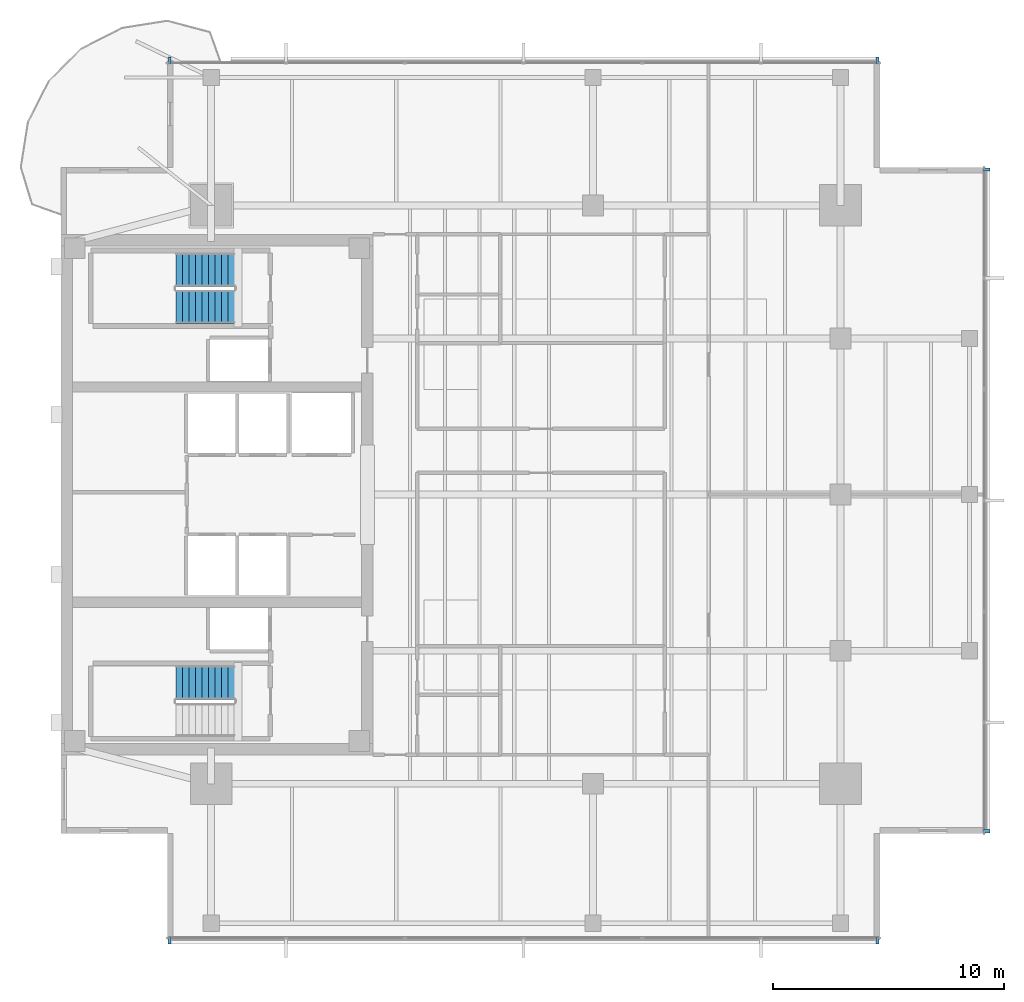
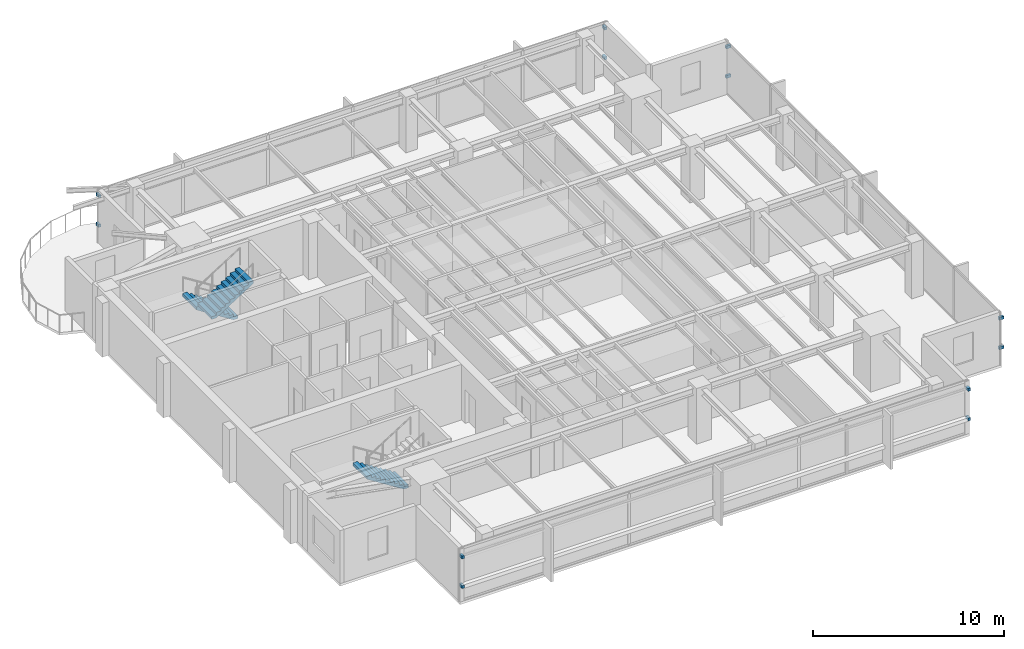
# One storey, part 10 of 14: 12 discrete accessories, 3 stair flights, 2 elements without a shape of their own.
"""IFC4 building model written with IfcOpenShell, lengths in metres."""

from ifc_helpers import new_model, si_unit, direction, frame, origin, origin_2d, place, context, subcontext, project, spatial, polyline, rectangle, outline, extrude, material, type_object, element, aggregate, save


model = new_model("IFC4")

# Units and contexts
model_context = context("Model", 3, precision=1e-05, world=origin(), true_north=direction((0.0, 1.0)))
body_context = subcontext(model_context, "Body", "Model", "MODEL_VIEW")
ifc_project = project(units=[si_unit("LENGTHUNIT", "METRE"), si_unit("AREAUNIT", "SQUARE_METRE"), si_unit("VOLUMEUNIT", "CUBIC_METRE"), si_unit("PLANEANGLEUNIT", "RADIAN"), si_unit("MASSUNIT", "GRAM", prefix="KILO")], contexts=[model_context])

# Site, building, storey
site_placement = place(None, origin())
site = spatial("IfcSite", under=ifc_project, at=site_placement, CompositionType="ELEMENT")
building_placement = place(site_placement, origin())
building = spatial("IfcBuilding", under=site, at=building_placement, Name="Kinhvarn Gate Tower", CompositionType="ELEMENT")
storey_placement = place(building_placement, frame((0.0, 0.0, 263.449951171875)))
storey = spatial("IfcBuildingStorey", under=building, at=storey_placement, Name="L70", CompositionType="ELEMENT", Elevation=263.449951171875)

# Stair, stair flight
ifc_material_1 = material(Name="Concrete C40/50", Category="concrete")
stair_type = type_object("IfcStairType", Name="STR-DLG-178", PredefinedType="HALF_TURN_STAIR", material=ifc_material_1)
stair_1_placement = place(storey_placement, origin())
stair_1 = element("IfcStair", 1, at=stair_1_placement, inside=storey, type_object=stair_type, Name="L70 Core Smokeproof Exit Stair ST1", PredefinedType="HALF_TURN_STAIR")
stair_flight_type = type_object("IfcStairFlightType", Name="STF-DLG-178", PredefinedType="STRAIGHT", material=ifc_material_1)
stair_flight_1_placement = place(storey_placement, frame((12.0, 17.125, 0.0), z_axis=(0.0, 0.0, 1.0), x_axis=(-1.0, 0.0, 0.0)))
stair_flight_1 = element("IfcStairFlight", 2, at=stair_flight_1_placement, type_object=stair_flight_type, Name="ST1 flight 1", NumberOfRisers=10, NumberOfTreads=9, PredefinedType="STRAIGHT", RiserHeight=0.1775, TreadLength=0.28, context=body_context, shape_type="SweptSolid", body=[
    extrude(outline(polyline([(0.0, 0.0), (0.0, 0.177490234375), (0.280029296875, 0.177490234375), (0.280029296875, 0.35498046875), (0.56005859375, 0.35498046875), (0.56005859375, 0.532470703125), (0.840087890625, 0.532470703125), (0.840087890625, 0.7099609375), (1.1201171875, 0.7099609375), (1.1201171875, 0.887451171875), (1.39990234375, 0.887451171875), (1.39990234375, 1.06494140625), (1.679931640625, 1.06494140625), (1.679931640625, 1.242431640625), (1.9599609375, 1.242431640625), (1.9599609375, 1.419921875), (2.239990234375, 1.419921875), (2.239990234375, 1.597412109375), (2.52001953125, 1.597412109375), (2.52001953125, 1.77490234375), (2.52001953125, 1.419921875), (0.280029296875, 0.0), (0.0, 0.0)])), frame((0.0, 0.72509765625, 0.0), z_axis=(0.0, -1.0, 0.0), x_axis=(1.0, 0.0, 0.0)), (0.0, 0.0, 1.0), 1.449951171875),
])
aggregate(stair_1, [stair_flight_1])

# Stair, stair flights
stair_2_placement = place(storey_placement, origin())
stair_2 = element("IfcStair", 3, at=stair_2_placement, inside=storey, type_object=stair_type, Name="L70 Core Smokeproof Exit Stair ST2", PredefinedType="HALF_TURN_STAIR")
stair_flight_2_placement = place(storey_placement, frame((12.0, 34.97509765625, 0.0), z_axis=(0.0, 0.0, 1.0), x_axis=(-1.0, 0.0, 0.0)))
stair_flight_2 = element("IfcStairFlight", 4, at=stair_flight_2_placement, type_object=stair_flight_type, Name="ST2 flight 1", NumberOfRisers=10, NumberOfTreads=9, PredefinedType="STRAIGHT", RiserHeight=0.1775, TreadLength=0.28, context=body_context, shape_type="SweptSolid", body=[
    extrude(outline(polyline([(0.0, 0.0), (0.0, 0.177490234375), (0.280029296875, 0.177490234375), (0.280029296875, 0.35498046875), (0.56005859375, 0.35498046875), (0.56005859375, 0.532470703125), (0.840087890625, 0.532470703125), (0.840087890625, 0.7099609375), (1.1201171875, 0.7099609375), (1.1201171875, 0.887451171875), (1.39990234375, 0.887451171875), (1.39990234375, 1.06494140625), (1.679931640625, 1.06494140625), (1.679931640625, 1.242431640625), (1.9599609375, 1.242431640625), (1.9599609375, 1.419921875), (2.239990234375, 1.419921875), (2.239990234375, 1.597412109375), (2.52001953125, 1.597412109375), (2.52001953125, 1.77490234375), (2.52001953125, 1.419921875), (0.280029296875, 0.0), (0.0, 0.0)])), frame((0.0, 0.72509765625, 0.0), z_axis=(0.0, -1.0, 0.0), x_axis=(1.0, 0.0, 0.0)), (0.0, 0.0, 1.0), 1.449951171875),
])
stair_flight_3_placement = place(storey_placement, frame((9.47998046875, 33.375, 1.775146484375), z_axis=(0.0, 0.0, 1.0), x_axis=(1.0, 0.0, 0.0)))
stair_flight_3 = element("IfcStairFlight", 5, at=stair_flight_3_placement, type_object=stair_flight_type, Name="ST2 flight 2", NumberOfRisers=10, NumberOfTreads=9, PredefinedType="STRAIGHT", RiserHeight=0.1775, TreadLength=0.28, context=body_context, shape_type="SweptSolid", body=[
    extrude(outline(polyline([(0.0, 0.0), (0.0, 0.177490234375), (0.280029296875, 0.177490234375), (0.280029296875, 0.35498046875), (0.56005859375, 0.35498046875), (0.56005859375, 0.532470703125), (0.840087890625, 0.532470703125), (0.840087890625, 0.7099609375), (1.1201171875, 0.7099609375), (1.1201171875, 0.887451171875), (1.39990234375, 0.887451171875), (1.39990234375, 1.06494140625), (1.679931640625, 1.06494140625), (1.679931640625, 1.242431640625), (1.9599609375, 1.242431640625), (1.9599609375, 1.419921875), (2.239990234375, 1.419921875), (2.239990234375, 1.597412109375), (2.52001953125, 1.597412109375), (2.52001953125, 1.77490234375), (2.52001953125, 1.419921875), (0.280029296875, 0.0), (0.0, 0.0)])), frame((0.0, 0.72509765625, 0.0), z_axis=(0.0, -1.0, 0.0), x_axis=(1.0, 0.0, 0.0)), (0.0, 0.0, 1.0), 1.449951171875),
])
aggregate(stair_2, [stair_flight_2, stair_flight_3])

# Discrete accessories
ifc_material_2 = material(Name="Anodised aluminium AW-6063", Category="aluminium")
discrete_accessory_type = type_object("IfcDiscreteAccessoryType", Name="ACC-BRK-01", PredefinedType="BRACKET", material=ifc_material_2)
for number, where, z_axis, x_axis, name in (
    (6, (9.199951171875, 5.969970703125, 0.9599609375), (0.0, 0.0, 1.0), (1.0, 0.0, 0.0), "Baguette Support Bracket BK-01 (L70)"),
    (7, (9.199951171875, 5.969970703125, 2.85009765625), (0.0, 0.0, 1.0), (1.0, 0.0, 0.0), "Baguette Support Bracket BK-01 (L70)"),
    (8, (39.800048828125, 5.969970703125, 0.9599609375), (0.0, 0.0, 1.0), (1.0, 0.0, 0.0), "Baguette Support Bracket BK-01 (L70)"),
    (9, (39.800048828125, 5.969970703125, 2.85009765625), (0.0, 0.0, 1.0), (1.0, 0.0, 0.0), "Baguette Support Bracket BK-01 (L70)"),
    (10, (39.800048828125, 44.030029296875, 0.9599609375), (0.0, 0.0, 1.0), (-1.0, 0.0, 0.0), "Baguette Support Bracket BK-01 (L70)"),
    (11, (39.800048828125, 44.030029296875, 2.85009765625), (0.0, 0.0, 1.0), (-1.0, 0.0, 0.0), "Baguette Support Bracket BK-01 (L70)"),
    (12, (9.199951171875, 44.030029296875, 0.9599609375), (0.0, 0.0, 1.0), (-1.0, 0.0, 0.0), "Baguette Support Bracket BK-01 (L70)"),
    (13, (9.199951171875, 44.030029296875, 2.85009765625), (0.0, 0.0, 1.0), (-1.0, 0.0, 0.0), "Baguette Support Bracket BK-01 (L70)"),
    (14, (44.530029296875, 10.699951171875, 0.9599609375), (0.0, 0.0, 1.0), (0.0, 1.0, 0.0), "Baguette Support Bracket BK-01 (L70)"),
    (15, (44.530029296875, 10.699951171875, 2.85009765625), (0.0, 0.0, 1.0), (0.0, 1.0, 0.0), "Baguette Support Bracket BK-01 (L70)"),
    (16, (44.530029296875, 39.300048828125, 0.9599609375), (0.0, 0.0, 1.0), (0.0, 1.0, 0.0), "Baguette Support Bracket BK-01 (L70)"),
    (17, (44.530029296875, 39.300048828125, 2.85009765625), (0.0, 0.0, 1.0), (0.0, 1.0, 0.0), "Baguette Support Bracket BK-01 (L70)"),
):
    element("IfcDiscreteAccessory", number, at=place(storey_placement, frame(where, z_axis=z_axis, x_axis=x_axis)), inside=storey, type_object=discrete_accessory_type, Name=name, PredefinedType="BRACKET", context=body_context, shape_type="SweptSolid", body=[
        extrude(rectangle(XDim=0.139892578125, YDim=0.280029296875, at=origin_2d()), origin(), (0.0, 0.0, 1.0), 0.179931640625),
    ])

save(model, "model.ifc")
